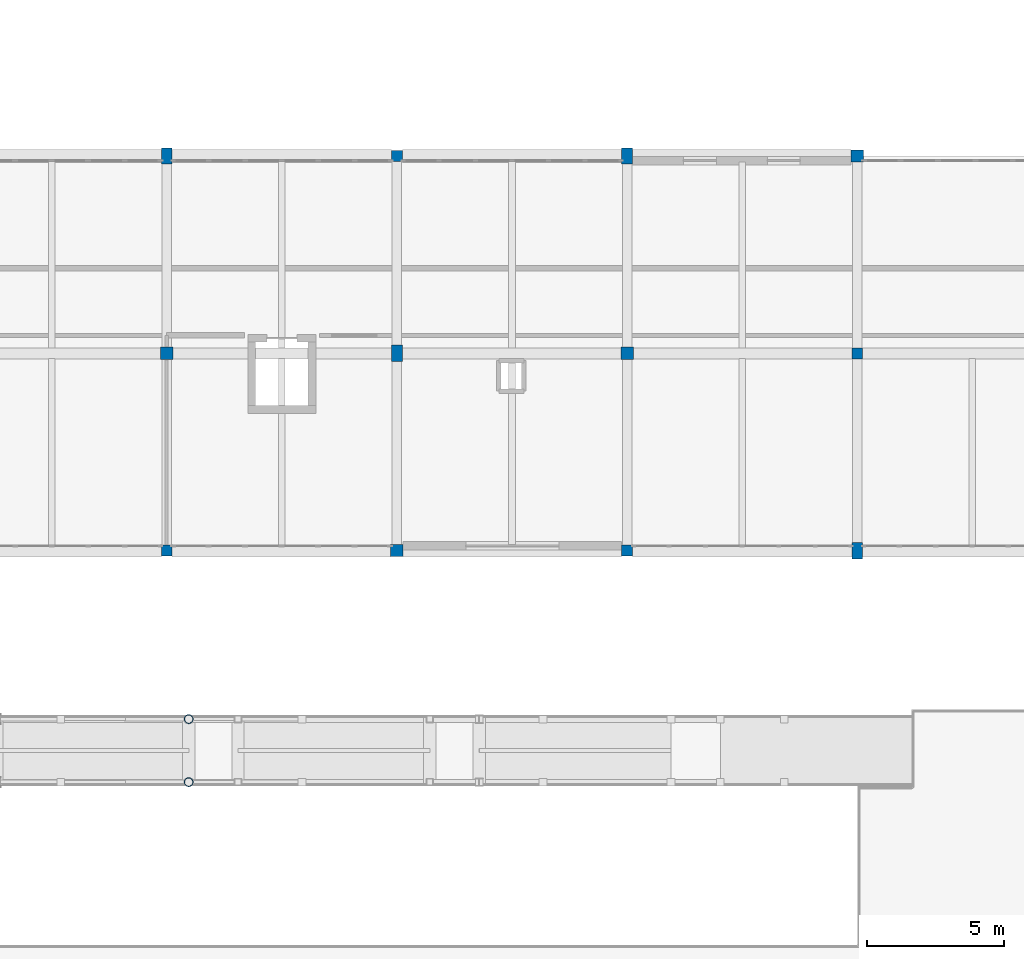
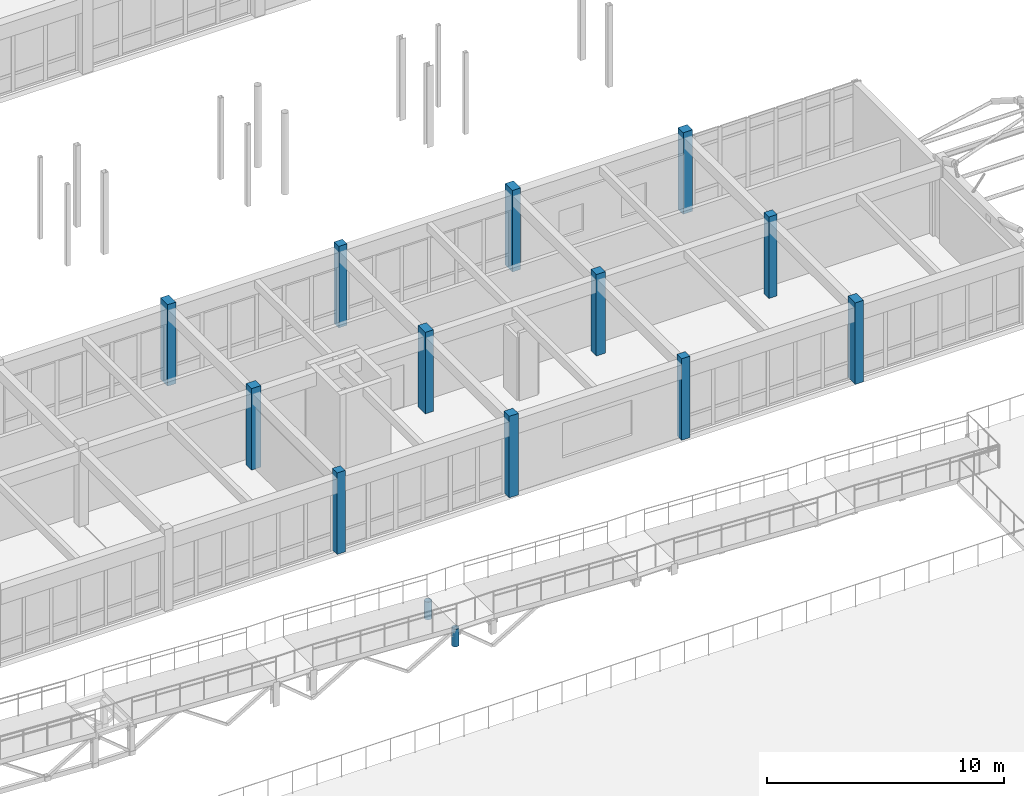
# One storey, part 14 of 89: 14 columns.
"""IFC4 building model written with IfcOpenShell, lengths in metres."""

from ifc_helpers import new_model, si_unit, direction, frame, origin, origin_2d, place, context, subcontext, project, spatial, rectangle, hollow_circle, extrude, material, material_profile, profile_set, type_object, element, save


model = new_model("IFC4")

# Units and contexts
model_context = context("Model", 3, precision=1e-05, world=origin(), true_north=direction((0.0, 1.0)))
body_context = subcontext(model_context, "Body", "Model", "MODEL_VIEW")
ifc_project = project(units=[si_unit("LENGTHUNIT", "METRE"), si_unit("AREAUNIT", "SQUARE_METRE"), si_unit("VOLUMEUNIT", "CUBIC_METRE"), si_unit("PLANEANGLEUNIT", "RADIAN"), si_unit("MASSUNIT", "GRAM", prefix="KILO")], contexts=[model_context])

# Site, building, storey
site_placement = place(None, origin())
site = spatial("IfcSite", under=ifc_project, at=site_placement, CompositionType="ELEMENT")
building_placement = place(site_placement, origin())
building = spatial("IfcBuilding", under=site, at=building_placement, Name="Malvenik Polytechnic", CompositionType="ELEMENT")
storey_placement = place(building_placement, frame((0.0, 0.0, 13.5)))
storey = spatial("IfcBuildingStorey", under=building, at=storey_placement, Name="L03", CompositionType="ELEMENT", Elevation=13.5)

# Columns
ifc_material_1 = material(Name="Concrete C35/45", Category="concrete")
ifc_material_profile_1 = material_profile(ifc_material_1, rectangle(XDim=0.449951171875, YDim=0.449951171875, at=origin_2d()), Name="RC COL 450x450")
ifc_profile_set_1 = profile_set([ifc_material_profile_1], Name="Concrete C35/45")
column_type_1 = type_object("IfcColumnType", Name="STR-COL-C-09", PredefinedType="COLUMN", material=ifc_profile_set_1)
for number, where, z_axis, x_axis, name in (
    (1, (100.800048828125, 86.39990234375, 0.0), (0.0, 0.0, 1.0), (1.0, 0.0, 0.0), "Column C-09 L03 (100.8,86.4)"),
    (2, (109.199951171875, 79.199951171875, 0.0), (0.0, 0.0, 1.0), (1.0, 0.0, 0.0), "Column C-09 L03 (109.2,79.2)"),
    (3, (117.60009765625, 86.39990234375, 0.0), (0.0, 0.0, 1.0), (1.0, 0.0, 0.0), "Column C-09 L03 (117.6,86.4)"),
    (4, (126.0, 93.60009765625, 0.0), (0.0, 0.0, 1.0), (1.0, 0.0, 0.0), "Column C-09 L03 (126.0,93.6)"),
):
    element("IfcColumn", number, at=place(storey_placement, frame(where, z_axis=z_axis, x_axis=x_axis)), inside=storey, type_object=column_type_1, Name=name, PredefinedType="COLUMN", context=body_context, shape_type="SweptSolid", body=[
        extrude(rectangle(XDim=0.449951171875, YDim=0.449951171875, at=origin_2d()), origin(), (0.0, 0.0, 1.0), 4.199951171875),
    ])
ifc_material_2 = material(Name="Concrete C30/37", Category="concrete")
ifc_material_profile_2 = material_profile(ifc_material_2, rectangle(XDim=0.39990234375, YDim=0.39990234375, at=origin_2d()), Name="RC COL 400x400")
ifc_profile_set_2 = profile_set([ifc_material_profile_2], Name="Concrete C30/37")
column_type_2 = type_object("IfcColumnType", Name="STR-COL-C-10", PredefinedType="COLUMN", material=ifc_profile_set_2)
for number, where, z_axis, x_axis, name in (
    (5, (100.800048828125, 79.199951171875, 0.0), (0.0, 0.0, 1.0), (1.0, 0.0, 0.0), "Column C-10 L03 (100.8,79.2)"),
    (6, (109.199951171875, 93.60009765625, 0.0), (0.0, 0.0, 1.0), (1.0, 0.0, 0.0), "Column C-10 L03 (109.2,93.6)"),
    (7, (117.60009765625, 79.199951171875, 0.0), (0.0, 0.0, 1.0), (1.0, 0.0, 0.0), "Column C-10 L03 (117.6,79.2)"),
    (8, (126.0, 86.39990234375, 0.0), (0.0, 0.0, 1.0), (1.0, 0.0, 0.0), "Column C-10 L03 (126.0,86.4)"),
):
    element("IfcColumn", number, at=place(storey_placement, frame(where, z_axis=z_axis, x_axis=x_axis)), inside=storey, type_object=column_type_2, Name=name, PredefinedType="COLUMN", context=body_context, shape_type="SweptSolid", body=[
        extrude(rectangle(XDim=0.39990234375, YDim=0.39990234375, at=origin_2d()), origin(), (0.0, 0.0, 1.0), 4.199951171875),
    ])
ifc_material_profile_3 = material_profile(ifc_material_1, rectangle(XDim=0.39990234375, YDim=0.60009765625, at=origin_2d()), Name="RC COL 600x400")
ifc_profile_set_3 = profile_set([ifc_material_profile_3], Name="Concrete C35/45")
column_type_3 = type_object("IfcColumnType", Name="STR-COL-C-15", PredefinedType="COLUMN", material=ifc_profile_set_3)
for number, where, z_axis, x_axis, name in (
    (9, (100.800048828125, 93.60009765625, 0.0), (0.0, 0.0, 1.0), (1.0, 0.0, 0.0), "Column C-15 L03 (100.8,93.6)"),
    (10, (109.199951171875, 86.39990234375, 0.0), (0.0, 0.0, 1.0), (1.0, 0.0, 0.0), "Column C-15 L03 (109.2,86.4)"),
    (11, (117.60009765625, 93.60009765625, 0.0), (0.0, 0.0, 1.0), (1.0, 0.0, 0.0), "Column C-15 L03 (117.6,93.6)"),
    (12, (126.0, 79.199951171875, 0.0), (0.0, 0.0, 1.0), (1.0, 0.0, 0.0), "Column C-15 L03 (126.0,79.2)"),
):
    element("IfcColumn", number, at=place(storey_placement, frame(where, z_axis=z_axis, x_axis=x_axis)), inside=storey, type_object=column_type_3, Name=name, PredefinedType="COLUMN", context=body_context, shape_type="SweptSolid", body=[
        extrude(rectangle(XDim=0.39990234375, YDim=0.60009765625, at=origin_2d()), origin(), (0.0, 0.0, 1.0), 4.199951171875),
    ])
ifc_material_3 = material(Name="Steel S355J2H", Category="steel")
ifc_material_profile_4 = material_profile(ifc_material_3, hollow_circle(Radius=0.161865234375, WallThickness=0.012451171875, at=origin_2d()), Name="CHS 323.9x12.5")
ifc_profile_set_4 = profile_set([ifc_material_profile_4], Name="Steel S355J2H")
column_type_4 = type_object("IfcColumnType", Name="STR-SCOL-SC-04", PredefinedType="COLUMN", material=ifc_profile_set_4)
for number, where, z_axis, x_axis, name in (
    (13, (101.60009765625, 70.75, 0.0), (0.0, 0.0, 1.0), (1.0, 0.0, 0.0), "Bridge-Ramp Support Column SC-04 L03"),
    (14, (101.60009765625, 73.050048828125, 0.0), (0.0, 0.0, 1.0), (1.0, 0.0, 0.0), "Bridge-Ramp Support Column SC-04 L03"),
):
    element("IfcColumn", number, at=place(storey_placement, frame(where, z_axis=z_axis, x_axis=x_axis)), inside=storey, type_object=column_type_4, Name=name, PredefinedType="COLUMN", context=body_context, shape_type="SweptSolid", body=[
        extrude(hollow_circle(Radius=0.161865234375, WallThickness=0.012451171875, at=origin_2d()), origin(), (0.0, 0.0, 1.0), 0.909912109375),
    ])

save(model, "model.ifc")
